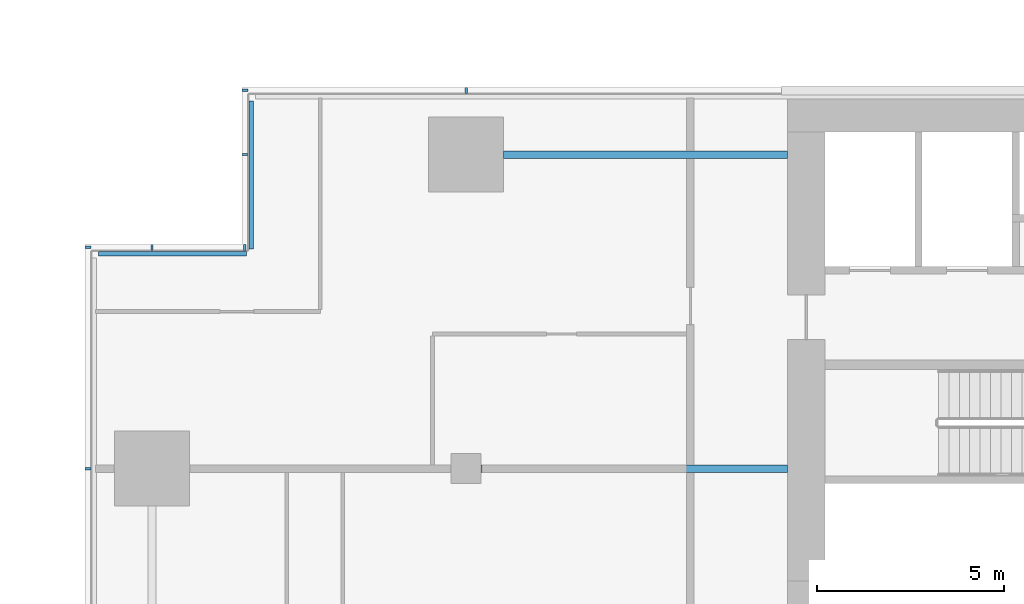
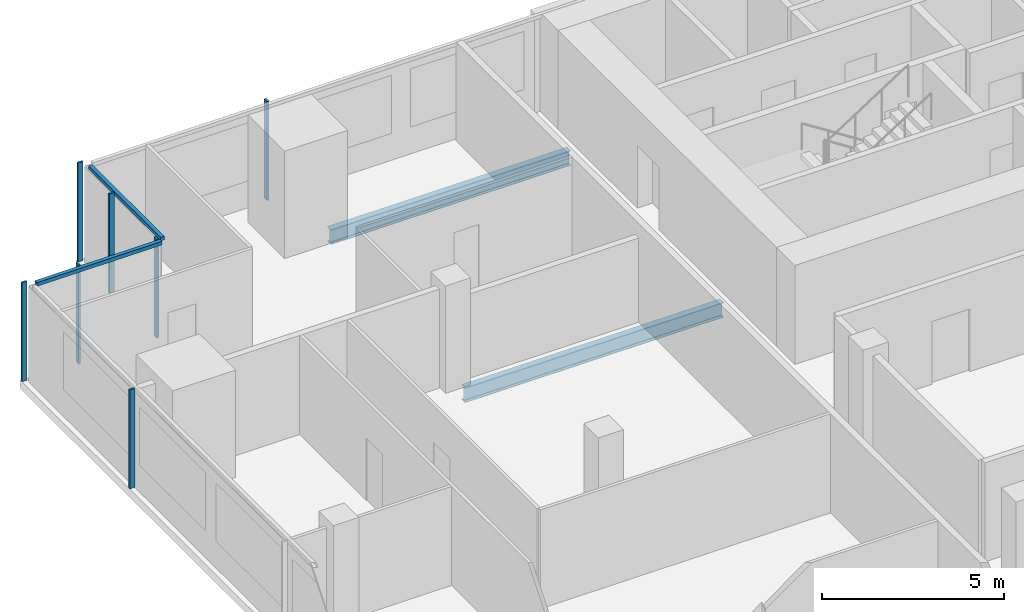
# One storey, part 8 of 26: 9 members, 2 beams, 4 elements without a shape of their own.
"""IFC4 building model written with IfcOpenShell, lengths in metres."""

from ifc_helpers import new_model, si_unit, direction, frame, origin, origin_2d, place, context, subcontext, project, spatial, rectangle, i_section, extrude, material, material_profile, profile_set, type_object, element, aggregate, save


model = new_model("IFC4")

# Units and contexts
model_context = context("Model", 3, precision=1e-05, world=origin(), true_north=direction((0.0, 1.0)))
body_context = subcontext(model_context, "Body", "Model", "MODEL_VIEW")
ifc_project = project(units=[si_unit("LENGTHUNIT", "METRE"), si_unit("AREAUNIT", "SQUARE_METRE"), si_unit("VOLUMEUNIT", "CUBIC_METRE"), si_unit("PLANEANGLEUNIT", "RADIAN"), si_unit("MASSUNIT", "GRAM", prefix="KILO")], contexts=[model_context])

# Site, building, storey
site_placement = place(None, origin())
site = spatial("IfcSite", under=ifc_project, at=site_placement, CompositionType="ELEMENT")
building_placement = place(site_placement, origin())
building = spatial("IfcBuilding", under=site, at=building_placement, Name="Saffron Gate Tower", CompositionType="ELEMENT")
storey_placement = place(building_placement, frame((0.0, 0.0, 120.449951171875)))
storey = spatial("IfcBuildingStorey", under=building, at=storey_placement, Name="L28", CompositionType="ELEMENT", Elevation=120.449951171875)

# Beams
ifc_material_1 = material(Name="Structural steel S355", Category="steel")
ifc_material_profile_1 = material_profile(ifc_material_1, i_section(OverallWidth=0.199951171875, OverallDepth=0.5, WebThickness=0.01025390625, FlangeThickness=0.01611328125, FilletRadius=0.02099609375, at=origin_2d()))
ifc_profile_set_1 = profile_set([ifc_material_profile_1], Name="Structural steel S355")
beam_type = type_object("IfcBeamType", Name="B10 IPE 500", PredefinedType="BEAM", material=ifc_profile_set_1)
beam_1_placement = place(storey_placement, frame((58.60009765625, 65.39990234375, -0.530029296875), z_axis=(1.0, 0.0, 0.0), x_axis=(0.0, 1.0, 0.0)))
element("IfcBeam", 1, at=beam_1_placement, inside=storey, type_object=beam_type, Name="B10 CORE TIE BEAM", PredefinedType="BEAM", context=body_context, shape_type="SweptSolid", body=[
    extrude(i_section(OverallWidth=0.199951171875, OverallDepth=0.5, WebThickness=0.01025390625, FlangeThickness=0.01611328125, FilletRadius=0.02099609375, at=origin_2d()), origin(), (0.0, 0.0, 1.0), 8.199951171875),
])
beam_2_placement = place(storey_placement, frame((59.199951171875, 73.800048828125, -0.530029296875), z_axis=(1.0, 0.0, 0.0), x_axis=(0.0, 1.0, 0.0)))
element("IfcBeam", 2, at=beam_2_placement, inside=storey, type_object=beam_type, Name="B10 CORE TIE BEAM", PredefinedType="BEAM", context=body_context, shape_type="SweptSolid", body=[
    extrude(i_section(OverallWidth=0.199951171875, OverallDepth=0.5, WebThickness=0.01025390625, FlangeThickness=0.01611328125, FilletRadius=0.02099609375, at=origin_2d()), origin(), (0.0, 0.0, 1.0), 7.60009765625),
])

# Curtain wall, members
ifc_material_2 = material(Name="Aluminium, bronze anodised", Category="aluminium")
curtain_wall_type_1 = type_object("IfcCurtainWallType", Name="CWS2 curtain wall side facades", PredefinedType="NOTDEFINED", material=ifc_material_2)
curtain_wall_1_placement = place(storey_placement, origin())
curtain_wall_1 = element("IfcCurtainWall", 3, at=curtain_wall_1_placement, inside=storey, type_object=curtain_wall_type_1, Name="CWS2 run 10", PredefinedType="NOTDEFINED")
ifc_material_profile_2 = material_profile(ifc_material_2, rectangle(XDim=0.159912109375, YDim=0.06005859375, at=origin_2d()))
ifc_profile_set_2 = profile_set([ifc_material_profile_2], Name="Aluminium, bronze anodised")
member_type_1 = type_object("IfcMemberType", Name="CWS2 mullion 60x160", PredefinedType="MULLION", material=ifc_profile_set_2)
member_1_placement = place(storey_placement, frame((48.080078125, 71.320068359375, 0.0), z_axis=(0.0, 0.0, 1.0), x_axis=(1.0, 0.0, 0.0)))
member_1 = element("IfcMember", 4, at=member_1_placement, type_object=member_type_1, Name="CWS2 mullion 1", PredefinedType="MULLION", context=body_context, shape_type="SweptSolid", body=[
    extrude(rectangle(XDim=0.159912109375, YDim=0.06005859375, at=origin_2d()), origin(), (0.0, 0.0, 1.0), 3.320068359375),
])
member_2_placement = place(storey_placement, frame((48.080078125, 65.39990234375, 0.0), z_axis=(0.0, 0.0, 1.0), x_axis=(1.0, 0.0, 0.0)))
member_2 = element("IfcMember", 5, at=member_2_placement, type_object=member_type_1, Name="CWS2 mullion 2", PredefinedType="MULLION", context=body_context, shape_type="SweptSolid", body=[
    extrude(rectangle(XDim=0.159912109375, YDim=0.06005859375, at=origin_2d()), origin(), (0.0, 0.0, 1.0), 3.320068359375),
])
aggregate(curtain_wall_1, [member_1, member_2])

# Curtain wall, member
curtain_wall_type_2 = type_object("IfcCurtainWallType", Name="CWS3 curtain wall rear facade", PredefinedType="NOTDEFINED", material=ifc_material_2)
curtain_wall_2_placement = place(storey_placement, origin())
curtain_wall_2 = element("IfcCurtainWall", 6, at=curtain_wall_2_placement, inside=storey, type_object=curtain_wall_type_2, Name="CWS3 run 7", PredefinedType="NOTDEFINED")
ifc_material_profile_3 = material_profile(ifc_material_2, rectangle(XDim=0.159912109375, YDim=0.070068359375, at=origin_2d()))
ifc_profile_set_3 = profile_set([ifc_material_profile_3], Name="Aluminium, bronze anodised")
member_type_2 = type_object("IfcMemberType", Name="CWS3 mullion 70x160", PredefinedType="MULLION", material=ifc_profile_set_3)
member_3_placement = place(storey_placement, frame((58.199951171875, 75.52001953125, 0.0), z_axis=(0.0, 0.0, 1.0), x_axis=(0.0, -1.0, 0.0)))
member_3 = element("IfcMember", 7, at=member_3_placement, type_object=member_type_2, Name="CWS3 mullion 9", PredefinedType="MULLION", context=body_context, shape_type="SweptSolid", body=[
    extrude(rectangle(XDim=0.159912109375, YDim=0.070068359375, at=origin_2d()), origin(), (0.0, 0.0, 1.0), 3.320068359375),
])
aggregate(curtain_wall_2, [member_3])

curtain_wall_type_3 = type_object("IfcCurtainWallType", Name="CWS4 curtain wall corner returns", PredefinedType="NOTDEFINED", material=ifc_material_2)
curtain_wall_3_placement = place(storey_placement, origin())
curtain_wall_3 = element("IfcCurtainWall", 8, at=curtain_wall_3_placement, inside=storey, type_object=curtain_wall_type_3, Name="CWS4 run 8", PredefinedType="NOTDEFINED")
ifc_material_profile_4 = material_profile(ifc_material_2, rectangle(XDim=0.1201171875, YDim=0.1201171875, at=origin_2d()))
ifc_profile_set_4 = profile_set([ifc_material_profile_4], Name="Aluminium, bronze anodised")
member_type_3 = type_object("IfcMemberType", Name="CWS4 head transom", PredefinedType="USERDEFINED", material=ifc_profile_set_4)
member_4_placement = place(storey_placement, frame((52.447998046875, 75.23193359375, 3.260009765625), z_axis=(0.0, -1.0, 0.0), x_axis=(1.0, 0.0, 0.0)))
member_4 = element("IfcMember", 9, at=member_4_placement, type_object=member_type_3, Name="CWS4 head transom", ObjectType="TRANSOM", PredefinedType="USERDEFINED", context=body_context, shape_type="SweptSolid", body=[
    extrude(rectangle(XDim=0.1201171875, YDim=0.1201171875, at=origin_2d()), origin(), (0.0, 0.0, 1.0), 3.9599609375),
])

curtain_wall_4_placement = place(storey_placement, origin())
curtain_wall_4 = element("IfcCurtainWall", 10, at=curtain_wall_4_placement, inside=storey, type_object=curtain_wall_type_3, Name="CWS4 run 9", PredefinedType="NOTDEFINED")
member_5_placement = place(storey_placement, frame((52.327880859375, 71.152099609375, 3.260009765625), z_axis=(-1.0, 0.0, 0.0), x_axis=(0.0, -1.0, 0.0)))
member_5 = element("IfcMember", 11, at=member_5_placement, type_object=member_type_3, Name="CWS4 head transom", ObjectType="TRANSOM", PredefinedType="USERDEFINED", context=body_context, shape_type="SweptSolid", body=[
    extrude(rectangle(XDim=0.1201171875, YDim=0.1201171875, at=origin_2d()), origin(), (0.0, 0.0, 1.0), 3.9599609375),
])

# Member
ifc_material_profile_5 = material_profile(ifc_material_2, rectangle(XDim=0.159912109375, YDim=0.06005859375, at=origin_2d()))
ifc_profile_set_5 = profile_set([ifc_material_profile_5], Name="Aluminium, bronze anodised")
member_type_4 = type_object("IfcMemberType", Name="CWS4 mullion 60x160", PredefinedType="MULLION", material=ifc_profile_set_5)
member_6_placement = place(storey_placement, frame((52.280029296875, 75.52001953125, 0.0), z_axis=(0.0, 0.0, 1.0), x_axis=(1.0, 0.0, 0.0)))
member_6 = element("IfcMember", 12, at=member_6_placement, type_object=member_type_4, Name="CWS4 mullion 1", PredefinedType="MULLION", context=body_context, shape_type="SweptSolid", body=[
    extrude(rectangle(XDim=0.159912109375, YDim=0.06005859375, at=origin_2d()), origin(), (0.0, 0.0, 1.0), 3.320068359375),
])

member_7_placement = place(storey_placement, frame((52.280029296875, 73.800048828125, 0.0), z_axis=(0.0, 0.0, 1.0), x_axis=(1.0, 0.0, 0.0)))
member_7 = element("IfcMember", 13, at=member_7_placement, type_object=member_type_4, Name="CWS4 mullion 2", PredefinedType="MULLION", context=body_context, shape_type="SweptSolid", body=[
    extrude(rectangle(XDim=0.159912109375, YDim=0.06005859375, at=origin_2d()), origin(), (0.0, 0.0, 1.0), 3.320068359375),
])

aggregate(curtain_wall_3, [member_6, member_7, member_4])

member_8_placement = place(storey_placement, frame((52.280029296875, 71.320068359375, 0.0), z_axis=(0.0, 0.0, 1.0), x_axis=(0.0, -1.0, 0.0)))
member_8 = element("IfcMember", 14, at=member_8_placement, type_object=member_type_4, Name="CWS4 mullion 1", PredefinedType="MULLION", context=body_context, shape_type="SweptSolid", body=[
    extrude(rectangle(XDim=0.159912109375, YDim=0.06005859375, at=origin_2d()), origin(), (0.0, 0.0, 1.0), 3.320068359375),
])

member_9_placement = place(storey_placement, frame((49.800048828125, 71.320068359375, 0.0), z_axis=(0.0, 0.0, 1.0), x_axis=(0.0, -1.0, 0.0)))
member_9 = element("IfcMember", 15, at=member_9_placement, type_object=member_type_4, Name="CWS4 mullion 2", PredefinedType="MULLION", context=body_context, shape_type="SweptSolid", body=[
    extrude(rectangle(XDim=0.159912109375, YDim=0.06005859375, at=origin_2d()), origin(), (0.0, 0.0, 1.0), 3.320068359375),
])

aggregate(curtain_wall_4, [member_8, member_9, member_5])

save(model, "model.ifc")
